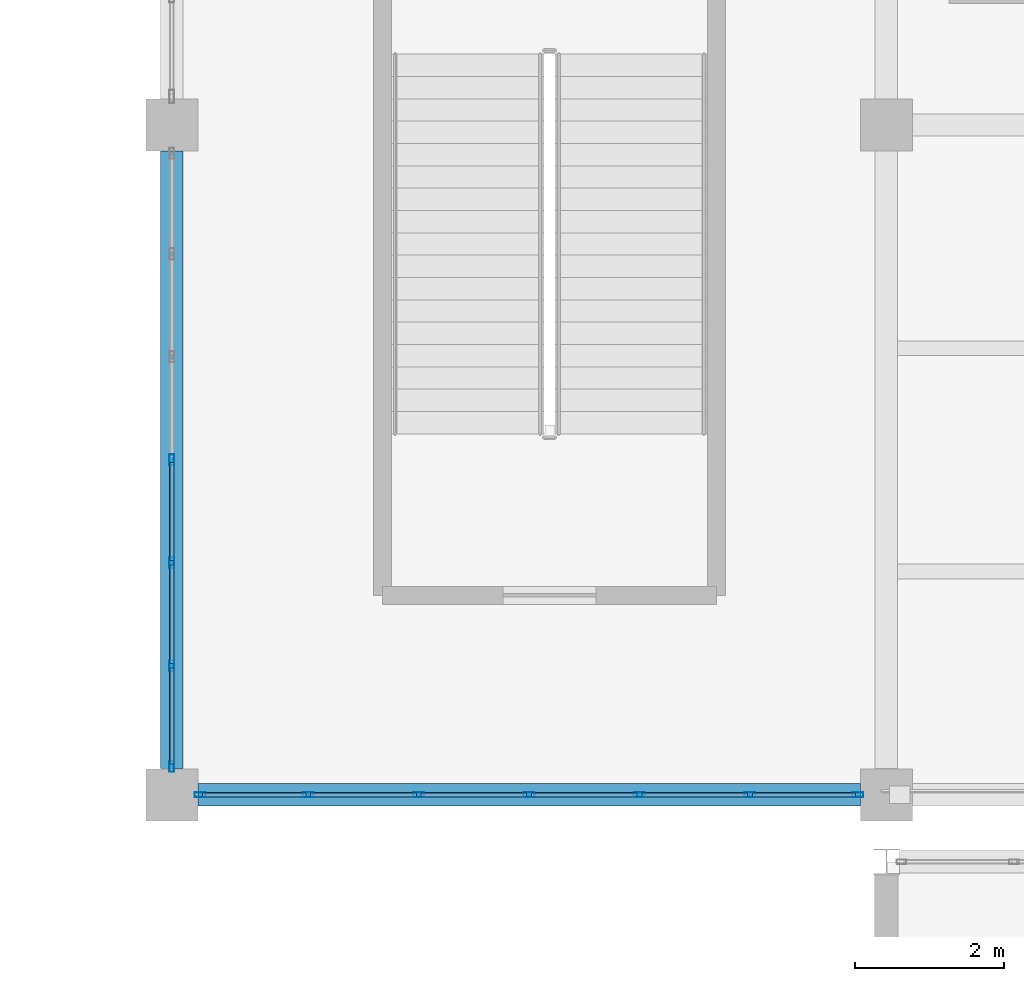
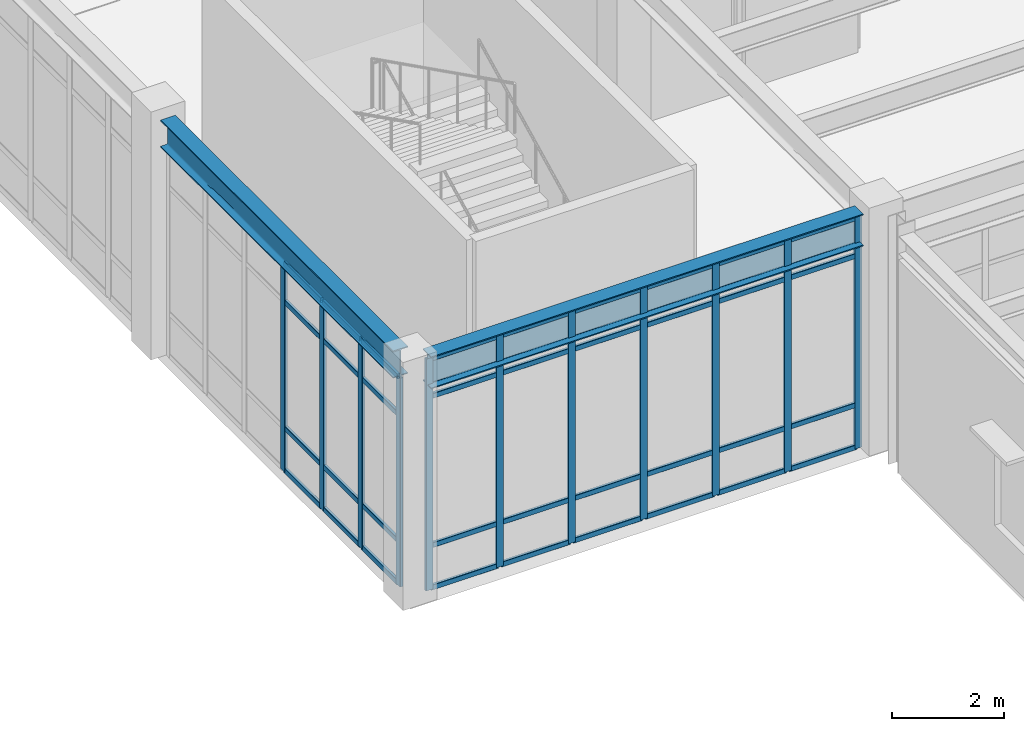
# One storey, part 10 of 80: 47 members, 2 beams, 2 elements without a shape of their own.
"""IFC4 building model written with IfcOpenShell, lengths in metres."""

from ifc_helpers import new_model, si_unit, direction, frame, origin, origin_2d, place, context, subcontext, project, spatial, hollow_rectangle, i_section, extrude, material, material_profile, profile_set, type_object, element, aggregate, save


model = new_model("IFC4")

# Units and contexts
model_context = context("Model", 3, precision=1e-05, world=origin(), true_north=direction((0.0, 1.0)))
body_context = subcontext(model_context, "Body", "Model", "MODEL_VIEW")
ifc_project = project(units=[si_unit("LENGTHUNIT", "METRE"), si_unit("AREAUNIT", "SQUARE_METRE"), si_unit("VOLUMEUNIT", "CUBIC_METRE"), si_unit("PLANEANGLEUNIT", "RADIAN"), si_unit("MASSUNIT", "GRAM", prefix="KILO")], contexts=[model_context])

# Site, building, storey
site_placement = place(None, origin())
site = spatial("IfcSite", under=ifc_project, at=site_placement, CompositionType="ELEMENT")
building_placement = place(site_placement, origin())
building = spatial("IfcBuilding", under=site, at=building_placement, Name="Canglan Escarpment Cableway Terminal", CompositionType="ELEMENT")
storey_placement = place(building_placement, frame((0.0, 0.0, 19.199951171875)))
storey = spatial("IfcBuildingStorey", under=building, at=storey_placement, Name="L04", CompositionType="ELEMENT", Elevation=19.199951171875)

# Beams
ifc_material_1 = material(Name="Steel Q355C", Category="steel")
ifc_material_profile_1 = material_profile(ifc_material_1, i_section(OverallWidth=0.302001953125, OverallDepth=0.593994140625, WebThickness=0.013916015625, FlangeThickness=0.02294921875, FilletRadius=0.028076171875, at=origin_2d()), Name="HM 594x302x14x23")
ifc_profile_set_1 = profile_set([ifc_material_profile_1], Name="Steel Q355C")
beam_type_1 = type_object("IfcBeamType", Name="BM-HM594", PredefinedType="BEAM", material=ifc_profile_set_1)
beam_1_placement = place(storey_placement, frame((137.60009765625, 34.35009765625, 4.863037109375), z_axis=(0.0, 1.0, 0.0), x_axis=(-1.0, 0.0, 0.0)))
element("IfcBeam", 1, at=beam_1_placement, inside=storey, type_object=beam_type_1, Name="Primary transverse girder B-07", PredefinedType="BEAM", context=body_context, shape_type="SweptSolid", body=[
    extrude(i_section(OverallWidth=0.302001953125, OverallDepth=0.593994140625, WebThickness=0.013916015625, FlangeThickness=0.02294921875, FilletRadius=0.028076171875, at=origin_2d()), origin(), (0.0, 0.0, 1.0), 8.2998046875),
])
ifc_material_profile_2 = material_profile(ifc_material_1, i_section(OverallWidth=0.300048828125, OverallDepth=0.699951171875, WebThickness=0.012939453125, FlangeThickness=0.02392578125, FilletRadius=0.028076171875, at=origin_2d()), Name="HN 700x300x13x24")
ifc_profile_set_2 = profile_set([ifc_material_profile_2], Name="Steel Q355C")
beam_type_2 = type_object("IfcBeamType", Name="BM-HN700", PredefinedType="BEAM", material=ifc_profile_set_2)
beam_2_placement = place(storey_placement, frame((137.949951171875, 34.0, 4.81005859375), z_axis=(1.0, 0.0, 0.0), x_axis=(0.0, 1.0, 0.0)))
element("IfcBeam", 2, at=beam_2_placement, inside=storey, type_object=beam_type_2, Name="Primary structural girder B-06", PredefinedType="BEAM", context=body_context, shape_type="SweptSolid", body=[
    extrude(i_section(OverallWidth=0.300048828125, OverallDepth=0.699951171875, WebThickness=0.012939453125, FlangeThickness=0.02392578125, FilletRadius=0.028076171875, at=origin_2d()), origin(), (0.0, 0.0, 1.0), 8.900146484375),
])

# Curtain wall, members
ifc_material_2 = material(Name="Anodized bronze aluminium and Low-E double glazing", Category="aluminium")
curtain_wall_type_1 = type_object("IfcCurtainWallType", Name="CW-BAY-8900x5050", PredefinedType="NOTDEFINED", material=ifc_material_2)
curtain_wall_1_placement = place(storey_placement, origin())
curtain_wall_1 = element("IfcCurtainWall", 3, at=curtain_wall_1_placement, inside=storey, type_object=curtain_wall_type_1, Name="Classical bay-between-piers glazed curtain wall CW-63", PredefinedType="NOTDEFINED")
ifc_material_3 = material(Name="Thermally broken anodized aluminium 6063-T6", Category="aluminium")
ifc_material_profile_3 = material_profile(ifc_material_3, hollow_rectangle(XDim=0.06494140625, YDim=0.14990234375, WallThickness=0.00341796875, InnerFilletRadius=0.00341796875, OuterFilletRadius=0.007080078125, at=origin_2d()), Name="ALU-MULL 65x150x3.5")
ifc_profile_set_3 = profile_set([ifc_material_profile_3], Name="Thermally broken anodized aluminium 6063-T6")
member_type_1 = type_object("IfcMemberType", Name="CWM-02", PredefinedType="MULLION", material=ifc_profile_set_3)
member_1_placement = place(storey_placement, frame((137.982421875, 34.0, 0.0), z_axis=(0.0, 0.0, 1.0), x_axis=(0.0, 1.0, 0.0)))
member_1 = element("IfcMember", 4, at=member_1_placement, type_object=member_type_1, Name="CW-63 mullion 1", PredefinedType="MULLION", context=body_context, shape_type="SweptSolid", body=[
    extrude(hollow_rectangle(XDim=0.06494140625, YDim=0.14990234375, WallThickness=0.00341796875, InnerFilletRadius=0.00341796875, OuterFilletRadius=0.007080078125, at=origin_2d()), origin(), (0.0, 0.0, 1.0), 5.050048828125),
])
member_2_placement = place(storey_placement, frame((139.433349609375, 34.0, 0.0), z_axis=(0.0, 0.0, 1.0), x_axis=(0.0, 1.0, 0.0)))
member_2 = element("IfcMember", 5, at=member_2_placement, type_object=member_type_1, Name="CW-63 mullion 2", PredefinedType="MULLION", context=body_context, shape_type="SweptSolid", body=[
    extrude(hollow_rectangle(XDim=0.06494140625, YDim=0.14990234375, WallThickness=0.00341796875, InnerFilletRadius=0.00341796875, OuterFilletRadius=0.007080078125, at=origin_2d()), origin(), (0.0, 0.0, 1.0), 5.050048828125),
])
member_3_placement = place(storey_placement, frame((140.916748046875, 34.0, 0.0), z_axis=(0.0, 0.0, 1.0), x_axis=(0.0, 1.0, 0.0)))
member_3 = element("IfcMember", 6, at=member_3_placement, type_object=member_type_1, Name="CW-63 mullion 3", PredefinedType="MULLION", context=body_context, shape_type="SweptSolid", body=[
    extrude(hollow_rectangle(XDim=0.06494140625, YDim=0.14990234375, WallThickness=0.00341796875, InnerFilletRadius=0.00341796875, OuterFilletRadius=0.007080078125, at=origin_2d()), origin(), (0.0, 0.0, 1.0), 5.050048828125),
])
member_4_placement = place(storey_placement, frame((142.39990234375, 34.0, 0.0), z_axis=(0.0, 0.0, 1.0), x_axis=(0.0, 1.0, 0.0)))
member_4 = element("IfcMember", 7, at=member_4_placement, type_object=member_type_1, Name="CW-63 mullion 4", PredefinedType="MULLION", context=body_context, shape_type="SweptSolid", body=[
    extrude(hollow_rectangle(XDim=0.06494140625, YDim=0.14990234375, WallThickness=0.00341796875, InnerFilletRadius=0.00341796875, OuterFilletRadius=0.007080078125, at=origin_2d()), origin(), (0.0, 0.0, 1.0), 5.050048828125),
])
member_5_placement = place(storey_placement, frame((143.88330078125, 34.0, 0.0), z_axis=(0.0, 0.0, 1.0), x_axis=(0.0, 1.0, 0.0)))
member_5 = element("IfcMember", 8, at=member_5_placement, type_object=member_type_1, Name="CW-63 mullion 5", PredefinedType="MULLION", context=body_context, shape_type="SweptSolid", body=[
    extrude(hollow_rectangle(XDim=0.06494140625, YDim=0.14990234375, WallThickness=0.00341796875, InnerFilletRadius=0.00341796875, OuterFilletRadius=0.007080078125, at=origin_2d()), origin(), (0.0, 0.0, 1.0), 5.050048828125),
])
member_6_placement = place(storey_placement, frame((145.36669921875, 34.0, 0.0), z_axis=(0.0, 0.0, 1.0), x_axis=(0.0, 1.0, 0.0)))
member_6 = element("IfcMember", 9, at=member_6_placement, type_object=member_type_1, Name="CW-63 mullion 6", PredefinedType="MULLION", context=body_context, shape_type="SweptSolid", body=[
    extrude(hollow_rectangle(XDim=0.06494140625, YDim=0.14990234375, WallThickness=0.00341796875, InnerFilletRadius=0.00341796875, OuterFilletRadius=0.007080078125, at=origin_2d()), origin(), (0.0, 0.0, 1.0), 5.050048828125),
])
member_7_placement = place(storey_placement, frame((146.8173828125, 34.0, 0.0), z_axis=(0.0, 0.0, 1.0), x_axis=(0.0, 1.0, 0.0)))
member_7 = element("IfcMember", 10, at=member_7_placement, type_object=member_type_1, Name="CW-63 mullion 7", PredefinedType="MULLION", context=body_context, shape_type="SweptSolid", body=[
    extrude(hollow_rectangle(XDim=0.06494140625, YDim=0.14990234375, WallThickness=0.00341796875, InnerFilletRadius=0.00341796875, OuterFilletRadius=0.007080078125, at=origin_2d()), origin(), (0.0, 0.0, 1.0), 5.050048828125),
])

curtain_wall_type_2 = type_object("IfcCurtainWallType", Name="CW-BAY-8300x4550", PredefinedType="NOTDEFINED", material=ifc_material_2)
curtain_wall_2_placement = place(storey_placement, origin())
curtain_wall_2 = element("IfcCurtainWall", 11, at=curtain_wall_2_placement, inside=storey, type_object=curtain_wall_type_2, Name="Classical bay-between-piers glazed curtain wall CW-64", PredefinedType="NOTDEFINED")
member_8_placement = place(storey_placement, frame((137.60009765625, 38.5, 0.0), z_axis=(0.0, 0.0, 1.0), x_axis=(1.0, 0.0, 0.0)))
member_8 = element("IfcMember", 12, at=member_8_placement, type_object=member_type_1, Name="CW-64 mullion 4", PredefinedType="MULLION", context=body_context, shape_type="SweptSolid", body=[
    extrude(hollow_rectangle(XDim=0.06494140625, YDim=0.14990234375, WallThickness=0.00341796875, InnerFilletRadius=0.00341796875, OuterFilletRadius=0.007080078125, at=origin_2d()), origin(), (0.0, 0.0, 1.0), 4.551025390625),
])
member_9_placement = place(storey_placement, frame((137.60009765625, 37.11669921875, 0.0), z_axis=(0.0, 0.0, 1.0), x_axis=(1.0, 0.0, 0.0)))
member_9 = element("IfcMember", 13, at=member_9_placement, type_object=member_type_1, Name="CW-64 mullion 5", PredefinedType="MULLION", context=body_context, shape_type="SweptSolid", body=[
    extrude(hollow_rectangle(XDim=0.06494140625, YDim=0.14990234375, WallThickness=0.00341796875, InnerFilletRadius=0.00341796875, OuterFilletRadius=0.007080078125, at=origin_2d()), origin(), (0.0, 0.0, 1.0), 4.551025390625),
])
member_10_placement = place(storey_placement, frame((137.60009765625, 35.7333984375, 0.0), z_axis=(0.0, 0.0, 1.0), x_axis=(1.0, 0.0, 0.0)))
member_10 = element("IfcMember", 14, at=member_10_placement, type_object=member_type_1, Name="CW-64 mullion 6", PredefinedType="MULLION", context=body_context, shape_type="SweptSolid", body=[
    extrude(hollow_rectangle(XDim=0.06494140625, YDim=0.14990234375, WallThickness=0.00341796875, InnerFilletRadius=0.00341796875, OuterFilletRadius=0.007080078125, at=origin_2d()), origin(), (0.0, 0.0, 1.0), 4.551025390625),
])
member_11_placement = place(storey_placement, frame((137.60009765625, 34.382568359375, 0.0), z_axis=(0.0, 0.0, 1.0), x_axis=(1.0, 0.0, 0.0)))
member_11 = element("IfcMember", 15, at=member_11_placement, type_object=member_type_1, Name="CW-64 mullion 7", PredefinedType="MULLION", context=body_context, shape_type="SweptSolid", body=[
    extrude(hollow_rectangle(XDim=0.06494140625, YDim=0.14990234375, WallThickness=0.00341796875, InnerFilletRadius=0.00341796875, OuterFilletRadius=0.007080078125, at=origin_2d()), origin(), (0.0, 0.0, 1.0), 4.551025390625),
])

# Member
ifc_material_profile_4 = material_profile(ifc_material_3, hollow_rectangle(XDim=0.06005859375, YDim=0.110107421875, WallThickness=0.0029296875, InnerFilletRadius=0.0029296875, OuterFilletRadius=0.006103515625, at=origin_2d()), Name="ALU-TRAN 60x110x3")
ifc_profile_set_4 = profile_set([ifc_material_profile_4], Name="Thermally broken anodized aluminium 6063-T6")
member_type_2 = type_object("IfcMemberType", Name="CWT-02", PredefinedType="USERDEFINED", material=ifc_profile_set_4)
member_12_placement = place(storey_placement, frame((138.014892578125, 34.0, 0.030029296875), z_axis=(1.0, 0.0, 0.0), x_axis=(0.0, 1.0, 0.0)))
member_12 = element("IfcMember", 16, at=member_12_placement, type_object=member_type_2, Name="CW-63 transom 1.1", ObjectType="TRANSOM", PredefinedType="USERDEFINED", context=body_context, shape_type="SweptSolid", body=[
    extrude(hollow_rectangle(XDim=0.06005859375, YDim=0.110107421875, WallThickness=0.0029296875, InnerFilletRadius=0.0029296875, OuterFilletRadius=0.006103515625, at=origin_2d()), origin(), (0.0, 0.0, 1.0), 1.385986328125),
])

member_13_placement = place(storey_placement, frame((138.014892578125, 34.0, 0.949951171875), z_axis=(1.0, 0.0, 0.0), x_axis=(0.0, 1.0, 0.0)))
member_13 = element("IfcMember", 17, at=member_13_placement, type_object=member_type_2, Name="CW-63 transom 1.2", ObjectType="TRANSOM", PredefinedType="USERDEFINED", context=body_context, shape_type="SweptSolid", body=[
    extrude(hollow_rectangle(XDim=0.06005859375, YDim=0.110107421875, WallThickness=0.0029296875, InnerFilletRadius=0.0029296875, OuterFilletRadius=0.006103515625, at=origin_2d()), origin(), (0.0, 0.0, 1.0), 1.385986328125),
])

member_14_placement = place(storey_placement, frame((138.014892578125, 34.0, 4.199951171875), z_axis=(1.0, 0.0, 0.0), x_axis=(0.0, 1.0, 0.0)))
member_14 = element("IfcMember", 18, at=member_14_placement, type_object=member_type_2, Name="CW-63 transom 1.3", ObjectType="TRANSOM", PredefinedType="USERDEFINED", context=body_context, shape_type="SweptSolid", body=[
    extrude(hollow_rectangle(XDim=0.06005859375, YDim=0.110107421875, WallThickness=0.0029296875, InnerFilletRadius=0.0029296875, OuterFilletRadius=0.006103515625, at=origin_2d()), origin(), (0.0, 0.0, 1.0), 1.385986328125),
])

member_15_placement = place(storey_placement, frame((138.014892578125, 34.0, 5.02001953125), z_axis=(1.0, 0.0, 0.0), x_axis=(0.0, 1.0, 0.0)))
member_15 = element("IfcMember", 19, at=member_15_placement, type_object=member_type_2, Name="CW-63 transom 1.4", ObjectType="TRANSOM", PredefinedType="USERDEFINED", context=body_context, shape_type="SweptSolid", body=[
    extrude(hollow_rectangle(XDim=0.06005859375, YDim=0.110107421875, WallThickness=0.0029296875, InnerFilletRadius=0.0029296875, OuterFilletRadius=0.006103515625, at=origin_2d()), origin(), (0.0, 0.0, 1.0), 1.385986328125),
])

member_16_placement = place(storey_placement, frame((139.4658203125, 34.0, 0.030029296875), z_axis=(1.0, 0.0, 0.0), x_axis=(0.0, 1.0, 0.0)))
member_16 = element("IfcMember", 20, at=member_16_placement, type_object=member_type_2, Name="CW-63 transom 2.1", ObjectType="TRANSOM", PredefinedType="USERDEFINED", context=body_context, shape_type="SweptSolid", body=[
    extrude(hollow_rectangle(XDim=0.06005859375, YDim=0.110107421875, WallThickness=0.0029296875, InnerFilletRadius=0.0029296875, OuterFilletRadius=0.006103515625, at=origin_2d()), origin(), (0.0, 0.0, 1.0), 1.41845703125),
])

member_17_placement = place(storey_placement, frame((139.4658203125, 34.0, 0.949951171875), z_axis=(1.0, 0.0, 0.0), x_axis=(0.0, 1.0, 0.0)))
member_17 = element("IfcMember", 21, at=member_17_placement, type_object=member_type_2, Name="CW-63 transom 2.2", ObjectType="TRANSOM", PredefinedType="USERDEFINED", context=body_context, shape_type="SweptSolid", body=[
    extrude(hollow_rectangle(XDim=0.06005859375, YDim=0.110107421875, WallThickness=0.0029296875, InnerFilletRadius=0.0029296875, OuterFilletRadius=0.006103515625, at=origin_2d()), origin(), (0.0, 0.0, 1.0), 1.41845703125),
])

member_18_placement = place(storey_placement, frame((139.4658203125, 34.0, 4.199951171875), z_axis=(1.0, 0.0, 0.0), x_axis=(0.0, 1.0, 0.0)))
member_18 = element("IfcMember", 22, at=member_18_placement, type_object=member_type_2, Name="CW-63 transom 2.3", ObjectType="TRANSOM", PredefinedType="USERDEFINED", context=body_context, shape_type="SweptSolid", body=[
    extrude(hollow_rectangle(XDim=0.06005859375, YDim=0.110107421875, WallThickness=0.0029296875, InnerFilletRadius=0.0029296875, OuterFilletRadius=0.006103515625, at=origin_2d()), origin(), (0.0, 0.0, 1.0), 1.41845703125),
])

member_19_placement = place(storey_placement, frame((139.4658203125, 34.0, 5.02001953125), z_axis=(1.0, 0.0, 0.0), x_axis=(0.0, 1.0, 0.0)))
member_19 = element("IfcMember", 23, at=member_19_placement, type_object=member_type_2, Name="CW-63 transom 2.4", ObjectType="TRANSOM", PredefinedType="USERDEFINED", context=body_context, shape_type="SweptSolid", body=[
    extrude(hollow_rectangle(XDim=0.06005859375, YDim=0.110107421875, WallThickness=0.0029296875, InnerFilletRadius=0.0029296875, OuterFilletRadius=0.006103515625, at=origin_2d()), origin(), (0.0, 0.0, 1.0), 1.41845703125),
])

member_20_placement = place(storey_placement, frame((140.94921875, 34.0, 0.030029296875), z_axis=(1.0, 0.0, 0.0), x_axis=(0.0, 1.0, 0.0)))
member_20 = element("IfcMember", 24, at=member_20_placement, type_object=member_type_2, Name="CW-63 transom 3.1", ObjectType="TRANSOM", PredefinedType="USERDEFINED", context=body_context, shape_type="SweptSolid", body=[
    extrude(hollow_rectangle(XDim=0.06005859375, YDim=0.110107421875, WallThickness=0.0029296875, InnerFilletRadius=0.0029296875, OuterFilletRadius=0.006103515625, at=origin_2d()), origin(), (0.0, 0.0, 1.0), 1.418212890625),
])

member_21_placement = place(storey_placement, frame((140.94921875, 34.0, 0.949951171875), z_axis=(1.0, 0.0, 0.0), x_axis=(0.0, 1.0, 0.0)))
member_21 = element("IfcMember", 25, at=member_21_placement, type_object=member_type_2, Name="CW-63 transom 3.2", ObjectType="TRANSOM", PredefinedType="USERDEFINED", context=body_context, shape_type="SweptSolid", body=[
    extrude(hollow_rectangle(XDim=0.06005859375, YDim=0.110107421875, WallThickness=0.0029296875, InnerFilletRadius=0.0029296875, OuterFilletRadius=0.006103515625, at=origin_2d()), origin(), (0.0, 0.0, 1.0), 1.418212890625),
])

member_22_placement = place(storey_placement, frame((140.94921875, 34.0, 4.199951171875), z_axis=(1.0, 0.0, 0.0), x_axis=(0.0, 1.0, 0.0)))
member_22 = element("IfcMember", 26, at=member_22_placement, type_object=member_type_2, Name="CW-63 transom 3.3", ObjectType="TRANSOM", PredefinedType="USERDEFINED", context=body_context, shape_type="SweptSolid", body=[
    extrude(hollow_rectangle(XDim=0.06005859375, YDim=0.110107421875, WallThickness=0.0029296875, InnerFilletRadius=0.0029296875, OuterFilletRadius=0.006103515625, at=origin_2d()), origin(), (0.0, 0.0, 1.0), 1.418212890625),
])

member_23_placement = place(storey_placement, frame((140.94921875, 34.0, 5.02001953125), z_axis=(1.0, 0.0, 0.0), x_axis=(0.0, 1.0, 0.0)))
member_23 = element("IfcMember", 27, at=member_23_placement, type_object=member_type_2, Name="CW-63 transom 3.4", ObjectType="TRANSOM", PredefinedType="USERDEFINED", context=body_context, shape_type="SweptSolid", body=[
    extrude(hollow_rectangle(XDim=0.06005859375, YDim=0.110107421875, WallThickness=0.0029296875, InnerFilletRadius=0.0029296875, OuterFilletRadius=0.006103515625, at=origin_2d()), origin(), (0.0, 0.0, 1.0), 1.418212890625),
])

member_24_placement = place(storey_placement, frame((142.4326171875, 34.0, 0.030029296875), z_axis=(1.0, 0.0, 0.0), x_axis=(0.0, 1.0, 0.0)))
member_24 = element("IfcMember", 28, at=member_24_placement, type_object=member_type_2, Name="CW-63 transom 4.1", ObjectType="TRANSOM", PredefinedType="USERDEFINED", context=body_context, shape_type="SweptSolid", body=[
    extrude(hollow_rectangle(XDim=0.06005859375, YDim=0.110107421875, WallThickness=0.0029296875, InnerFilletRadius=0.0029296875, OuterFilletRadius=0.006103515625, at=origin_2d()), origin(), (0.0, 0.0, 1.0), 1.418212890625),
])

member_25_placement = place(storey_placement, frame((142.4326171875, 34.0, 0.949951171875), z_axis=(1.0, 0.0, 0.0), x_axis=(0.0, 1.0, 0.0)))
member_25 = element("IfcMember", 29, at=member_25_placement, type_object=member_type_2, Name="CW-63 transom 4.2", ObjectType="TRANSOM", PredefinedType="USERDEFINED", context=body_context, shape_type="SweptSolid", body=[
    extrude(hollow_rectangle(XDim=0.06005859375, YDim=0.110107421875, WallThickness=0.0029296875, InnerFilletRadius=0.0029296875, OuterFilletRadius=0.006103515625, at=origin_2d()), origin(), (0.0, 0.0, 1.0), 1.418212890625),
])

member_26_placement = place(storey_placement, frame((142.4326171875, 34.0, 4.199951171875), z_axis=(1.0, 0.0, 0.0), x_axis=(0.0, 1.0, 0.0)))
member_26 = element("IfcMember", 30, at=member_26_placement, type_object=member_type_2, Name="CW-63 transom 4.3", ObjectType="TRANSOM", PredefinedType="USERDEFINED", context=body_context, shape_type="SweptSolid", body=[
    extrude(hollow_rectangle(XDim=0.06005859375, YDim=0.110107421875, WallThickness=0.0029296875, InnerFilletRadius=0.0029296875, OuterFilletRadius=0.006103515625, at=origin_2d()), origin(), (0.0, 0.0, 1.0), 1.418212890625),
])

member_27_placement = place(storey_placement, frame((142.4326171875, 34.0, 5.02001953125), z_axis=(1.0, 0.0, 0.0), x_axis=(0.0, 1.0, 0.0)))
member_27 = element("IfcMember", 31, at=member_27_placement, type_object=member_type_2, Name="CW-63 transom 4.4", ObjectType="TRANSOM", PredefinedType="USERDEFINED", context=body_context, shape_type="SweptSolid", body=[
    extrude(hollow_rectangle(XDim=0.06005859375, YDim=0.110107421875, WallThickness=0.0029296875, InnerFilletRadius=0.0029296875, OuterFilletRadius=0.006103515625, at=origin_2d()), origin(), (0.0, 0.0, 1.0), 1.418212890625),
])

member_28_placement = place(storey_placement, frame((143.915771484375, 34.0, 0.030029296875), z_axis=(1.0, 0.0, 0.0), x_axis=(0.0, 1.0, 0.0)))
member_28 = element("IfcMember", 32, at=member_28_placement, type_object=member_type_2, Name="CW-63 transom 5.1", ObjectType="TRANSOM", PredefinedType="USERDEFINED", context=body_context, shape_type="SweptSolid", body=[
    extrude(hollow_rectangle(XDim=0.06005859375, YDim=0.110107421875, WallThickness=0.0029296875, InnerFilletRadius=0.0029296875, OuterFilletRadius=0.006103515625, at=origin_2d()), origin(), (0.0, 0.0, 1.0), 1.41845703125),
])

member_29_placement = place(storey_placement, frame((143.915771484375, 34.0, 0.949951171875), z_axis=(1.0, 0.0, 0.0), x_axis=(0.0, 1.0, 0.0)))
member_29 = element("IfcMember", 33, at=member_29_placement, type_object=member_type_2, Name="CW-63 transom 5.2", ObjectType="TRANSOM", PredefinedType="USERDEFINED", context=body_context, shape_type="SweptSolid", body=[
    extrude(hollow_rectangle(XDim=0.06005859375, YDim=0.110107421875, WallThickness=0.0029296875, InnerFilletRadius=0.0029296875, OuterFilletRadius=0.006103515625, at=origin_2d()), origin(), (0.0, 0.0, 1.0), 1.41845703125),
])

member_30_placement = place(storey_placement, frame((143.915771484375, 34.0, 4.199951171875), z_axis=(1.0, 0.0, 0.0), x_axis=(0.0, 1.0, 0.0)))
member_30 = element("IfcMember", 34, at=member_30_placement, type_object=member_type_2, Name="CW-63 transom 5.3", ObjectType="TRANSOM", PredefinedType="USERDEFINED", context=body_context, shape_type="SweptSolid", body=[
    extrude(hollow_rectangle(XDim=0.06005859375, YDim=0.110107421875, WallThickness=0.0029296875, InnerFilletRadius=0.0029296875, OuterFilletRadius=0.006103515625, at=origin_2d()), origin(), (0.0, 0.0, 1.0), 1.41845703125),
])

member_31_placement = place(storey_placement, frame((143.915771484375, 34.0, 5.02001953125), z_axis=(1.0, 0.0, 0.0), x_axis=(0.0, 1.0, 0.0)))
member_31 = element("IfcMember", 35, at=member_31_placement, type_object=member_type_2, Name="CW-63 transom 5.4", ObjectType="TRANSOM", PredefinedType="USERDEFINED", context=body_context, shape_type="SweptSolid", body=[
    extrude(hollow_rectangle(XDim=0.06005859375, YDim=0.110107421875, WallThickness=0.0029296875, InnerFilletRadius=0.0029296875, OuterFilletRadius=0.006103515625, at=origin_2d()), origin(), (0.0, 0.0, 1.0), 1.41845703125),
])

member_32_placement = place(storey_placement, frame((145.399169921875, 34.0, 0.030029296875), z_axis=(1.0, 0.0, 0.0), x_axis=(0.0, 1.0, 0.0)))
member_32 = element("IfcMember", 36, at=member_32_placement, type_object=member_type_2, Name="CW-63 transom 6.1", ObjectType="TRANSOM", PredefinedType="USERDEFINED", context=body_context, shape_type="SweptSolid", body=[
    extrude(hollow_rectangle(XDim=0.06005859375, YDim=0.110107421875, WallThickness=0.0029296875, InnerFilletRadius=0.0029296875, OuterFilletRadius=0.006103515625, at=origin_2d()), origin(), (0.0, 0.0, 1.0), 1.3857421875),
])

member_33_placement = place(storey_placement, frame((145.399169921875, 34.0, 0.949951171875), z_axis=(1.0, 0.0, 0.0), x_axis=(0.0, 1.0, 0.0)))
member_33 = element("IfcMember", 37, at=member_33_placement, type_object=member_type_2, Name="CW-63 transom 6.2", ObjectType="TRANSOM", PredefinedType="USERDEFINED", context=body_context, shape_type="SweptSolid", body=[
    extrude(hollow_rectangle(XDim=0.06005859375, YDim=0.110107421875, WallThickness=0.0029296875, InnerFilletRadius=0.0029296875, OuterFilletRadius=0.006103515625, at=origin_2d()), origin(), (0.0, 0.0, 1.0), 1.3857421875),
])

member_34_placement = place(storey_placement, frame((145.399169921875, 34.0, 4.199951171875), z_axis=(1.0, 0.0, 0.0), x_axis=(0.0, 1.0, 0.0)))
member_34 = element("IfcMember", 38, at=member_34_placement, type_object=member_type_2, Name="CW-63 transom 6.3", ObjectType="TRANSOM", PredefinedType="USERDEFINED", context=body_context, shape_type="SweptSolid", body=[
    extrude(hollow_rectangle(XDim=0.06005859375, YDim=0.110107421875, WallThickness=0.0029296875, InnerFilletRadius=0.0029296875, OuterFilletRadius=0.006103515625, at=origin_2d()), origin(), (0.0, 0.0, 1.0), 1.3857421875),
])

member_35_placement = place(storey_placement, frame((145.399169921875, 34.0, 5.02001953125), z_axis=(1.0, 0.0, 0.0), x_axis=(0.0, 1.0, 0.0)))
member_35 = element("IfcMember", 39, at=member_35_placement, type_object=member_type_2, Name="CW-63 transom 6.4", ObjectType="TRANSOM", PredefinedType="USERDEFINED", context=body_context, shape_type="SweptSolid", body=[
    extrude(hollow_rectangle(XDim=0.06005859375, YDim=0.110107421875, WallThickness=0.0029296875, InnerFilletRadius=0.0029296875, OuterFilletRadius=0.006103515625, at=origin_2d()), origin(), (0.0, 0.0, 1.0), 1.3857421875),
])

aggregate(curtain_wall_1, [member_1, member_2, member_3, member_4, member_5, member_6, member_7, member_12, member_13, member_14, member_15, member_16, member_17, member_18, member_19, member_20, member_21, member_22, member_23, member_24, member_25, member_26, member_27, member_28, member_29, member_30, member_31, member_32, member_33, member_34, member_35])

member_36_placement = place(storey_placement, frame((137.60009765625, 38.467529296875, 0.030029296875), z_axis=(0.0, -1.0, 0.0), x_axis=(1.0, 0.0, 0.0)))
member_36 = element("IfcMember", 40, at=member_36_placement, type_object=member_type_2, Name="CW-64 transom 4.1", ObjectType="TRANSOM", PredefinedType="USERDEFINED", context=body_context, shape_type="SweptSolid", body=[
    extrude(hollow_rectangle(XDim=0.06005859375, YDim=0.110107421875, WallThickness=0.0029296875, InnerFilletRadius=0.0029296875, OuterFilletRadius=0.006103515625, at=origin_2d()), origin(), (0.0, 0.0, 1.0), 1.318359375),
])

member_37_placement = place(storey_placement, frame((137.60009765625, 38.467529296875, 0.949951171875), z_axis=(0.0, -1.0, 0.0), x_axis=(1.0, 0.0, 0.0)))
member_37 = element("IfcMember", 41, at=member_37_placement, type_object=member_type_2, Name="CW-64 transom 4.2", ObjectType="TRANSOM", PredefinedType="USERDEFINED", context=body_context, shape_type="SweptSolid", body=[
    extrude(hollow_rectangle(XDim=0.06005859375, YDim=0.110107421875, WallThickness=0.0029296875, InnerFilletRadius=0.0029296875, OuterFilletRadius=0.006103515625, at=origin_2d()), origin(), (0.0, 0.0, 1.0), 1.318359375),
])

member_38_placement = place(storey_placement, frame((137.60009765625, 38.467529296875, 3.700927734375), z_axis=(0.0, -1.0, 0.0), x_axis=(1.0, 0.0, 0.0)))
member_38 = element("IfcMember", 42, at=member_38_placement, type_object=member_type_2, Name="CW-64 transom 4.3", ObjectType="TRANSOM", PredefinedType="USERDEFINED", context=body_context, shape_type="SweptSolid", body=[
    extrude(hollow_rectangle(XDim=0.06005859375, YDim=0.110107421875, WallThickness=0.0029296875, InnerFilletRadius=0.0029296875, OuterFilletRadius=0.006103515625, at=origin_2d()), origin(), (0.0, 0.0, 1.0), 1.318359375),
])

member_39_placement = place(storey_placement, frame((137.60009765625, 38.467529296875, 4.52099609375), z_axis=(0.0, -1.0, 0.0), x_axis=(1.0, 0.0, 0.0)))
member_39 = element("IfcMember", 43, at=member_39_placement, type_object=member_type_2, Name="CW-64 transom 4.4", ObjectType="TRANSOM", PredefinedType="USERDEFINED", context=body_context, shape_type="SweptSolid", body=[
    extrude(hollow_rectangle(XDim=0.06005859375, YDim=0.110107421875, WallThickness=0.0029296875, InnerFilletRadius=0.0029296875, OuterFilletRadius=0.006103515625, at=origin_2d()), origin(), (0.0, 0.0, 1.0), 1.318359375),
])

member_40_placement = place(storey_placement, frame((137.60009765625, 37.084228515625, 0.030029296875), z_axis=(0.0, -1.0, 0.0), x_axis=(1.0, 0.0, 0.0)))
member_40 = element("IfcMember", 44, at=member_40_placement, type_object=member_type_2, Name="CW-64 transom 5.1", ObjectType="TRANSOM", PredefinedType="USERDEFINED", context=body_context, shape_type="SweptSolid", body=[
    extrude(hollow_rectangle(XDim=0.06005859375, YDim=0.110107421875, WallThickness=0.0029296875, InnerFilletRadius=0.0029296875, OuterFilletRadius=0.006103515625, at=origin_2d()), origin(), (0.0, 0.0, 1.0), 1.318359375),
])

member_41_placement = place(storey_placement, frame((137.60009765625, 37.084228515625, 0.949951171875), z_axis=(0.0, -1.0, 0.0), x_axis=(1.0, 0.0, 0.0)))
member_41 = element("IfcMember", 45, at=member_41_placement, type_object=member_type_2, Name="CW-64 transom 5.2", ObjectType="TRANSOM", PredefinedType="USERDEFINED", context=body_context, shape_type="SweptSolid", body=[
    extrude(hollow_rectangle(XDim=0.06005859375, YDim=0.110107421875, WallThickness=0.0029296875, InnerFilletRadius=0.0029296875, OuterFilletRadius=0.006103515625, at=origin_2d()), origin(), (0.0, 0.0, 1.0), 1.318359375),
])

member_42_placement = place(storey_placement, frame((137.60009765625, 37.084228515625, 3.700927734375), z_axis=(0.0, -1.0, 0.0), x_axis=(1.0, 0.0, 0.0)))
member_42 = element("IfcMember", 46, at=member_42_placement, type_object=member_type_2, Name="CW-64 transom 5.3", ObjectType="TRANSOM", PredefinedType="USERDEFINED", context=body_context, shape_type="SweptSolid", body=[
    extrude(hollow_rectangle(XDim=0.06005859375, YDim=0.110107421875, WallThickness=0.0029296875, InnerFilletRadius=0.0029296875, OuterFilletRadius=0.006103515625, at=origin_2d()), origin(), (0.0, 0.0, 1.0), 1.318359375),
])

member_43_placement = place(storey_placement, frame((137.60009765625, 37.084228515625, 4.52099609375), z_axis=(0.0, -1.0, 0.0), x_axis=(1.0, 0.0, 0.0)))
member_43 = element("IfcMember", 47, at=member_43_placement, type_object=member_type_2, Name="CW-64 transom 5.4", ObjectType="TRANSOM", PredefinedType="USERDEFINED", context=body_context, shape_type="SweptSolid", body=[
    extrude(hollow_rectangle(XDim=0.06005859375, YDim=0.110107421875, WallThickness=0.0029296875, InnerFilletRadius=0.0029296875, OuterFilletRadius=0.006103515625, at=origin_2d()), origin(), (0.0, 0.0, 1.0), 1.318359375),
])

member_44_placement = place(storey_placement, frame((137.60009765625, 35.700927734375, 0.030029296875), z_axis=(0.0, -1.0, 0.0), x_axis=(1.0, 0.0, 0.0)))
member_44 = element("IfcMember", 48, at=member_44_placement, type_object=member_type_2, Name="CW-64 transom 6.1", ObjectType="TRANSOM", PredefinedType="USERDEFINED", context=body_context, shape_type="SweptSolid", body=[
    extrude(hollow_rectangle(XDim=0.06005859375, YDim=0.110107421875, WallThickness=0.0029296875, InnerFilletRadius=0.0029296875, OuterFilletRadius=0.006103515625, at=origin_2d()), origin(), (0.0, 0.0, 1.0), 1.285888671875),
])

member_45_placement = place(storey_placement, frame((137.60009765625, 35.700927734375, 0.949951171875), z_axis=(0.0, -1.0, 0.0), x_axis=(1.0, 0.0, 0.0)))
member_45 = element("IfcMember", 49, at=member_45_placement, type_object=member_type_2, Name="CW-64 transom 6.2", ObjectType="TRANSOM", PredefinedType="USERDEFINED", context=body_context, shape_type="SweptSolid", body=[
    extrude(hollow_rectangle(XDim=0.06005859375, YDim=0.110107421875, WallThickness=0.0029296875, InnerFilletRadius=0.0029296875, OuterFilletRadius=0.006103515625, at=origin_2d()), origin(), (0.0, 0.0, 1.0), 1.285888671875),
])

member_46_placement = place(storey_placement, frame((137.60009765625, 35.700927734375, 3.700927734375), z_axis=(0.0, -1.0, 0.0), x_axis=(1.0, 0.0, 0.0)))
member_46 = element("IfcMember", 50, at=member_46_placement, type_object=member_type_2, Name="CW-64 transom 6.3", ObjectType="TRANSOM", PredefinedType="USERDEFINED", context=body_context, shape_type="SweptSolid", body=[
    extrude(hollow_rectangle(XDim=0.06005859375, YDim=0.110107421875, WallThickness=0.0029296875, InnerFilletRadius=0.0029296875, OuterFilletRadius=0.006103515625, at=origin_2d()), origin(), (0.0, 0.0, 1.0), 1.285888671875),
])

member_47_placement = place(storey_placement, frame((137.60009765625, 35.700927734375, 4.52099609375), z_axis=(0.0, -1.0, 0.0), x_axis=(1.0, 0.0, 0.0)))
member_47 = element("IfcMember", 51, at=member_47_placement, type_object=member_type_2, Name="CW-64 transom 6.4", ObjectType="TRANSOM", PredefinedType="USERDEFINED", context=body_context, shape_type="SweptSolid", body=[
    extrude(hollow_rectangle(XDim=0.06005859375, YDim=0.110107421875, WallThickness=0.0029296875, InnerFilletRadius=0.0029296875, OuterFilletRadius=0.006103515625, at=origin_2d()), origin(), (0.0, 0.0, 1.0), 1.285888671875),
])

aggregate(curtain_wall_2, [member_8, member_9, member_10, member_11, member_36, member_37, member_38, member_39, member_40, member_41, member_42, member_43, member_44, member_45, member_46, member_47])

save(model, "model.ifc")
